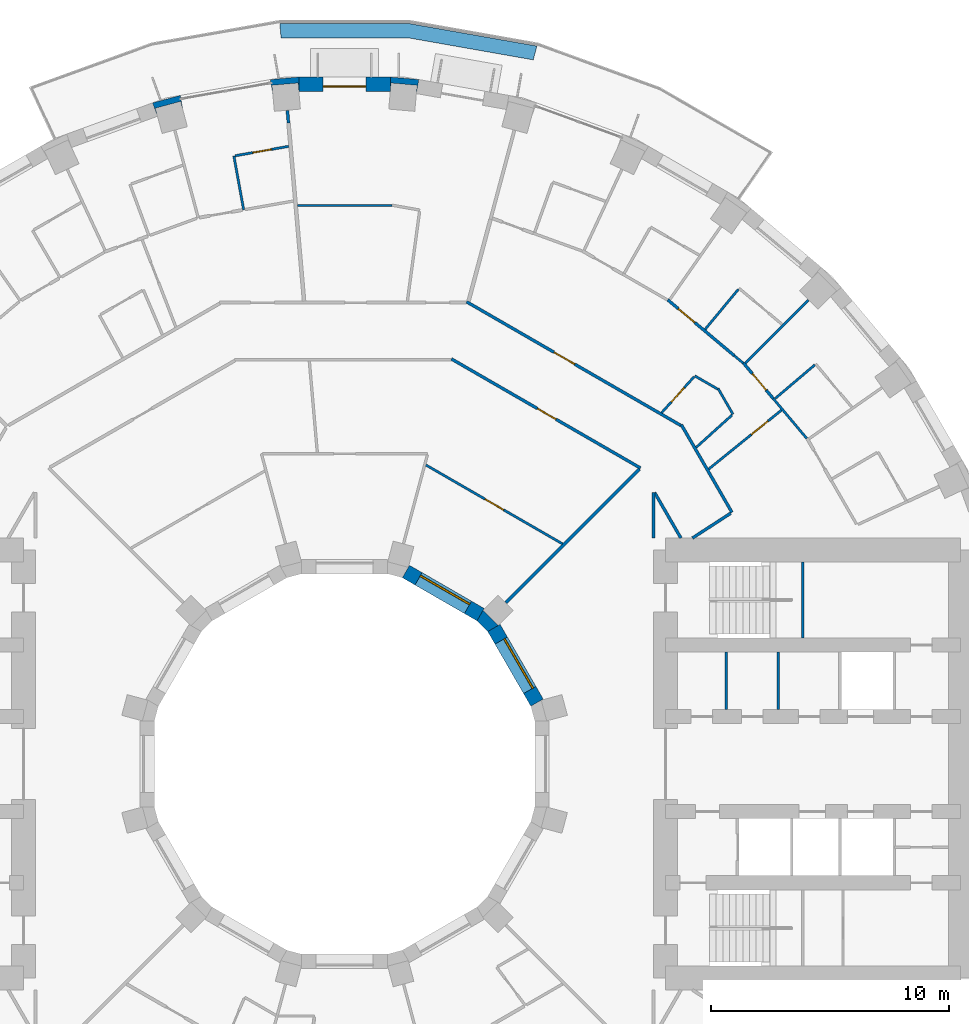
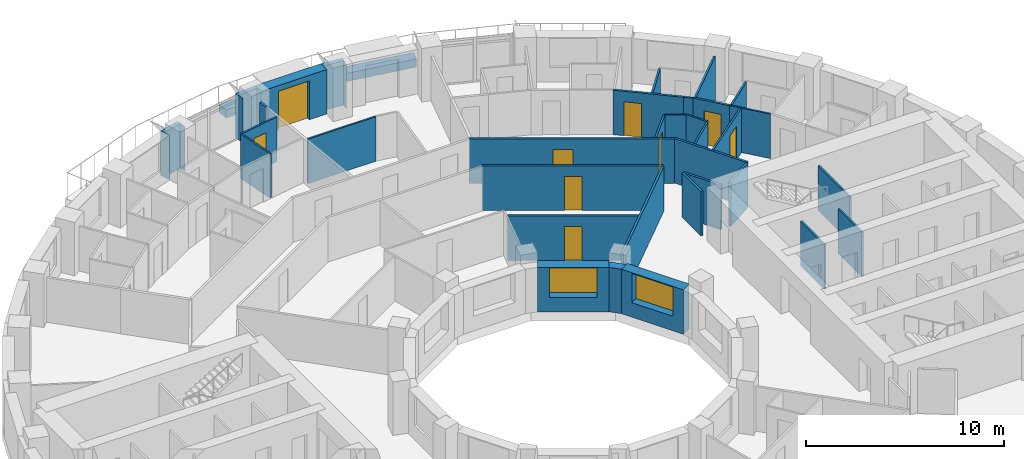
# One storey, part 12 of 15: 35 walls, 9 doors, 2 windows, 11 openings.
"""IFC4 building model written with IfcOpenShell, lengths in metres."""

import ifcopenshell
import ifcopenshell.guid

model = None  # the IFC model being written
_history = None  # IfcOwnerHistory: only IFC2X3 demands one
_inside = {}  # id of a spatial element -> (the spatial element, [elements in it])
_under = {}  # id of a project, library or spatial element -> (it, [spatial elements below it])
_declared = {}  # id of a project -> (the project, [libraries it declares])
_typed = {}  # id of a type object -> (the type object, [elements of that type])
_made_of = {}  # id of a material, layer set ... -> (it, [elements and type objects made of it])


def new_model(schema):
    """Start an empty IFC model of exactly this schema.

    Asked for "IFC4X3", IfcOpenShell would pick the latest addendum, in which some entities
    have other attributes; the version numbers below select the first issue.
    IFC2X3 requires an IfcOwnerHistory on every rooted entity: one is made here for all.
    """
    global model, _history
    if schema == "IFC4X3":
        model = ifcopenshell.file(schema_version=(4, 3, 0, 0))
    else:
        model = ifcopenshell.file(schema=schema)
    _inside.clear()
    _under.clear()
    _declared.clear()
    _typed.clear()
    _made_of.clear()
    _history = None
    if model.schema == "IFC2X3":
        org = make("IfcOrganization", Name="unknown")
        user = make(
            "IfcPersonAndOrganization",
            ThePerson=make("IfcPerson", FamilyName="unknown"),
            TheOrganization=org,
        )
        app = make(
            "IfcApplication",
            ApplicationDeveloper=org,
            Version="unknown",
            ApplicationFullName="unknown",
            ApplicationIdentifier="unknown",
        )
        _history = make(
            "IfcOwnerHistory",
            OwningUser=user,
            OwningApplication=app,
            ChangeAction="ADDED",
            CreationDate=0,
        )
    return model


def make(cls, **values):
    """One entity of the class cls with the attributes given. An attribute that is None is left unset."""
    return model.create_entity(
        cls, **{name: value for name, value in values.items() if value is not None}
    )


def rooted(cls, **values):
    """An entity with a GlobalId (a new one), such as an element, a storey or a relation."""
    return make(cls, GlobalId=ifcopenshell.guid.new(), OwnerHistory=_history, **values)


def si_unit(unit_type, name, prefix=None):
    """IfcSIUnit, for example si_unit("LENGTHUNIT", "METRE", prefix="MILLI")."""
    return make("IfcSIUnit", UnitType=unit_type, Prefix=prefix, Name=name)


def assignment(units):
    """IfcUnitAssignment: the units of a project."""
    return None if units is None else make("IfcUnitAssignment", Units=units)


def point(xyz):
    """IfcCartesianPoint."""
    return None if xyz is None else make("IfcCartesianPoint", Coordinates=xyz)


def direction(xyz):
    """IfcDirection."""
    return None if xyz is None else make("IfcDirection", DirectionRatios=xyz)


def frame(location, z_axis=None, x_axis=None):
    """IfcAxis2Placement3D, a coordinate frame: its origin and axes. An axis left out is left unset."""
    return make(
        "IfcAxis2Placement3D",
        Location=point(location),
        Axis=direction(z_axis),
        RefDirection=direction(x_axis),
    )


def frame_2d(location, x_axis=None):
    """IfcAxis2Placement2D, a coordinate frame in the plane: its origin and x axis."""
    return make(
        "IfcAxis2Placement2D", Location=point(location), RefDirection=direction(x_axis)
    )


def origin():
    """The frame at (0, 0, 0) with its axes left unset."""
    return frame((0.0, 0.0, 0.0))


def place(relative_to, where):
    """IfcLocalPlacement: puts the frame where relative to a parent placement (None: the world)."""
    return make(
        "IfcLocalPlacement", PlacementRelTo=relative_to, RelativePlacement=where
    )


def context(
    kind, dimensions, precision=None, world=None, true_north=None, identifier=None
):
    """IfcGeometricRepresentationContext, for example the 3D "Model" context."""
    return make(
        "IfcGeometricRepresentationContext",
        ContextIdentifier=identifier,
        ContextType=kind,
        CoordinateSpaceDimension=dimensions,
        Precision=precision,
        WorldCoordinateSystem=world,
        TrueNorth=true_north,
    )


def subcontext(parent, identifier, kind, view, scale=None):
    """IfcGeometricRepresentationSubContext, for example "Body" below "Model"."""
    return make(
        "IfcGeometricRepresentationSubContext",
        ContextIdentifier=identifier,
        ContextType=kind,
        ParentContext=parent,
        TargetScale=scale,
        TargetView=view,
    )


def project(units=None, contexts=None):
    """IfcProject with its units and contexts."""
    return rooted(
        "IfcProject",
        Name="project",
        RepresentationContexts=contexts,
        UnitsInContext=assignment(units),
    )


def spatial(cls, under=None, at=None, **own):
    """A site, building, storey or space (cls), placed at a placement, below another one or the project."""
    s = rooted(cls, ObjectPlacement=at, **own)
    if under is not None:
        _under.setdefault(under.id(), (under, []))[1].append(s)
    return s


def polyline(points):
    """IfcPolyline through the points."""
    return make("IfcPolyline", Points=[point(p) for p in points])


def profile(cls, at=None, kind="AREA", **sizes):
    """A parametric profile (cls). Its sizes go by their IFC names, for example OverallWidth=200.0."""
    return make(cls, ProfileType=kind, Position=at, **sizes)


def rectangle(**sizes):
    """IfcRectangleProfileDef."""
    return profile("IfcRectangleProfileDef", **sizes)


def outline(outer, holes=None, kind="AREA"):
    """IfcArbitraryClosedProfileDef: a profile drawn as a closed curve; with holes, ...WithVoids."""
    if holes is None:
        return make("IfcArbitraryClosedProfileDef", ProfileType=kind, OuterCurve=outer)
    return make(
        "IfcArbitraryProfileDefWithVoids",
        ProfileType=kind,
        OuterCurve=outer,
        InnerCurves=holes,
    )


def extrude(swept, where, along, depth):
    """IfcExtrudedAreaSolid: the profile swept, set in the frame where, extruded along a direction by depth."""
    return make(
        "IfcExtrudedAreaSolid",
        SweptArea=swept,
        Position=where,
        ExtrudedDirection=direction(along),
        Depth=depth,
    )


def shape(context_of_items, identifier, shape_type, items):
    """IfcShapeRepresentation: the items that make up one representation, for example the "Body"."""
    return make(
        "IfcShapeRepresentation",
        ContextOfItems=context_of_items,
        RepresentationIdentifier=identifier,
        RepresentationType=shape_type,
        Items=items,
    )


def material(Name=None, Category=None):
    """IfcMaterial."""
    return make("IfcMaterial", Name=Name, Category=Category)


def layer(
    of_material, thickness, ventilated=None, Name=None, Category=None, Priority=None
):
    """IfcMaterialLayer: one layer of a wall or slab, of a material (None: an air gap)."""
    return make(
        "IfcMaterialLayer",
        Material=of_material,
        LayerThickness=thickness,
        IsVentilated=ventilated,
        Name=Name,
        Category=Category,
        Priority=Priority,
    )


def layer_set(layers, Name=None):
    """IfcMaterialLayerSet."""
    return make("IfcMaterialLayerSet", MaterialLayers=layers, LayerSetName=Name)


def made_of(thing, what):
    """Note that an element or type object is made of a material, layer set ...; save() writes the relation."""
    if what is not None:
        _made_of.setdefault(what.id(), (what, []))[1].append(thing)
    return thing


def type_object(cls, material=None, **own):
    """A type object (cls), such as IfcWallType, which elements share."""
    return made_of(rooted(cls, **own), material)


def element(
    cls,
    number,
    at=None,
    inside=None,
    cuts=None,
    type_object=None,
    material=None,
    context=None,
    identifier="Body",
    shape_type=None,
    held_by="IfcProductDefinitionShape",
    body=None,
    shapes=None,
    **own,
):
    """One element of the class cls, such as IfcWall. Its Tag is "e" and its number.

    at: its placement. inside: the storey or other place that contains it. cuts: it is an
    opening in that element (IfcRelVoidsElement). A single representation is given by context,
    identifier, shape_type and body (its items); several are given by shapes. held_by: the class
    of the entity that holds the representations. save() writes the other relations.
    """
    e = rooted(cls, Tag="e%d" % number, ObjectPlacement=at, **own)
    if body is not None:
        shapes = [shape(context, identifier, shape_type, body)]
    if shapes is not None:
        e.Representation = make(held_by, Representations=shapes)
    if inside is not None:
        _inside.setdefault(inside.id(), (inside, []))[1].append(e)
    if cuts is not None:
        rooted(
            "IfcRelVoidsElement", RelatingBuildingElement=cuts, RelatedOpeningElement=e
        )
    if type_object is not None:
        _typed.setdefault(type_object.id(), (type_object, []))[1].append(e)
    return made_of(e, material)


def fill(opening, filler):
    """IfcRelFillsElement: the door or window that sits in an opening."""
    return rooted(
        "IfcRelFillsElement",
        RelatingOpeningElement=opening,
        RelatedBuildingElement=filler,
    )


def aggregate(whole, parts):
    """IfcRelAggregates: a whole, such as a stair, and the parts it consists of."""
    return rooted("IfcRelAggregates", RelatingObject=whole, RelatedObjects=parts)


def save(model, path):
    """Write the relations noted so far, then the file.

    IfcRelAggregates (storeys below a building ...), IfcRelContainedInSpatialStructure (elements
    in a storey), IfcRelDefinesByType, IfcRelAssociatesMaterial and IfcRelDeclares: one each for
    every whole, place, type object, material and project.
    """
    for whole, parts in _under.values():
        aggregate(whole, parts)
    for where, things in _inside.values():
        rooted(
            "IfcRelContainedInSpatialStructure",
            RelatedElements=things,
            RelatingStructure=where,
        )
    for kind, things in _typed.values():
        rooted("IfcRelDefinesByType", RelatedObjects=things, RelatingType=kind)
    for what, things in _made_of.values():
        rooted("IfcRelAssociatesMaterial", RelatedObjects=things, RelatingMaterial=what)
    for by, libraries in _declared.values():
        rooted("IfcRelDeclares", RelatingContext=by, RelatedDefinitions=libraries)
    model.write(path)


model = new_model("IFC4")

# Units and contexts
model_context = context("Model", 3, precision=1e-05, world=origin(), true_north=direction((0.0, 1.0)))
body_context = subcontext(model_context, "Body", "Model", "MODEL_VIEW")
ifc_project = project(units=[si_unit("LENGTHUNIT", "METRE"), si_unit("AREAUNIT", "SQUARE_METRE"), si_unit("VOLUMEUNIT", "CUBIC_METRE"), si_unit("PLANEANGLEUNIT", "RADIAN"), si_unit("MASSUNIT", "GRAM", prefix="KILO")], contexts=[model_context])

# Site, building, storey
site_placement = place(None, origin())
site = spatial("IfcSite", under=ifc_project, at=site_placement, CompositionType="ELEMENT")
building_placement = place(site_placement, origin())
building = spatial("IfcBuilding", under=site, at=building_placement, Name="Saqina Gate Tower", CompositionType="ELEMENT")
storey_placement = place(building_placement, frame((0.0, 0.0, 75.800048828125)))
storey = spatial("IfcBuildingStorey", under=building, at=storey_placement, Name="L21", CompositionType="ELEMENT", Elevation=75.800048828125)

# Walls
ifc_material_1 = material(Name="Brick masonry (red)", Category="masonry")
wall_type_1 = type_object("IfcWallType", Name="BRICK PIER COPING RED", PredefinedType="SOLIDWALL", material=ifc_material_1)
wall_1_placement = place(storey_placement, origin())
element("IfcWall", 1, at=wall_1_placement, inside=storey, type_object=wall_type_1, Name="Pier cap L21 column 9", PredefinedType="SOLIDWALL", context=body_context, shape_type="SweptSolid", body=[
    extrude(outline(polyline([(3.122802734375, 28.78466796875), (1.9228515625, 28.8896484375), (1.9228515625, 28.28955078125), (1.95361328125, 28.638671875), (3.04931640625, 28.54296875), (3.018798828125, 28.19384765625), (3.122802734375, 28.78466796875)])), origin(), (0.0, 0.0, 1.0), 2.75),
])
wall_2_placement = place(storey_placement, origin())
element("IfcWall", 2, at=wall_2_placement, inside=storey, type_object=wall_type_1, Name="Pier cap L21 column 10", PredefinedType="SOLIDWALL", context=body_context, shape_type="SweptSolid", body=[
    extrude(outline(polyline([(-1.9228515625, 28.8896484375), (-3.122802734375, 28.78466796875), (-3.018798828125, 28.19384765625), (-3.04931640625, 28.54296875), (-1.95361328125, 28.638671875), (-1.9228515625, 28.28955078125), (-1.9228515625, 28.8896484375)])), origin(), (0.0, 0.0, 1.0), 2.75),
])
wall_3_placement = place(storey_placement, origin())
element("IfcWall", 3, at=wall_3_placement, inside=storey, type_object=wall_type_1, Name="Pier cap L21 column 11", PredefinedType="SOLIDWALL", context=body_context, shape_type="SweptSolid", body=[
    extrude(outline(polyline([(-6.910400390625, 28.11669921875), (-8.073974609375, 27.80517578125), (-7.86865234375, 27.2412109375), (-7.95947265625, 27.57958984375), (-6.896728515625, 27.864501953125), (-6.80615234375, 27.52587890625), (-6.910400390625, 28.11669921875)])), origin(), (0.0, 0.0, 1.0), 2.75),
])
ifc_material_2 = material(Name="Gypsum board on steel studs", Category="steel")
ifc_layer_1 = layer(ifc_material_2, 0.10009765625)
ifc_layer_set_1 = layer_set([ifc_layer_1], Name="CORE PARTITION")
wall_type_2 = type_object("IfcWallType", Name="CORE PARTITION", PredefinedType="PARTITIONING", material=ifc_layer_set_1)
for number, where, z_axis, x_axis, name in (
    (4, (16.052001953125, 2.300048828125, 0.0), (0.0, 0.0, 1.0), (0.0, 1.0, 0.0), "L21-CP-E01"),
    (5, (18.24072265625, 2.300048828125, 0.0), (0.0, 0.0, 1.0), (0.0, 1.0, 0.0), "L21-CP-E02"),
):
    element("IfcWall", number, at=place(storey_placement, frame(where, z_axis=z_axis, x_axis=x_axis)), inside=storey, type_object=wall_type_2, Name=name, PredefinedType="PARTITIONING", context=body_context, shape_type="SweptSolid", body=[
        extrude(rectangle(XDim=2.39990234375, YDim=0.10009765625, at=frame_2d((1.199951171875, 0.0))), origin(), (0.0, 0.0, 1.0), 2.75),
    ])

# Wall, opening, door
ifc_material_3 = material(Name="Brick masonry (red)", Category="masonry")
ifc_layer_2 = layer(ifc_material_3, 0.60009765625)
ifc_layer_set_2 = layer_set([ifc_layer_2], Name="FW-BRICK-RED")
wall_type_3 = type_object("IfcWallType", Name="FW-BRICK-RED", PredefinedType="SOLIDWALL", material=ifc_layer_set_2)
wall_4_placement = place(storey_placement, frame((1.9228515625, 28.589599609375, 0.0), z_axis=(0.0, 0.0, 1.0), x_axis=(-1.0, 0.0, 0.0)))
wall_4 = element("IfcWall", 6, at=wall_4_placement, inside=storey, type_object=wall_type_3, Name="Facade wall L21 facet 9", PredefinedType="SOLIDWALL", context=body_context, shape_type="SweptSolid", body=[
    extrude(rectangle(XDim=3.845703125, YDim=0.60009765625, at=frame_2d((1.9228515625, 0.0))), origin(), (0.0, 0.0, 1.0), 2.75),
])
opening_1_placement = place(wall_4_placement, frame((1.02294921875, 0.0, 0.0)))
opening_1 = element("IfcOpeningElement", 7, at=opening_1_placement, cuts=wall_4, Name="Opening G06-D81", PredefinedType="OPENING", context=body_context, shape_type="SweptSolid", body=[
    extrude(rectangle(XDim=1.800048828125, YDim=2.39990234375, at=frame_2d((0.89990234375, 1.199951171875))), frame((0.0, 0.31201171875, 0.0), z_axis=(0.0, -1.0, 0.0), x_axis=(1.0, 0.0, 0.0)), (0.0, 0.0, 1.0), 0.6240234375),
])
ifc_material_4 = material(Name="Aluminium glazing", Category="aluminium")
door_type_1 = type_object("IfcDoorType", Name="GD-A", OperationType="DOUBLE_DOOR_SINGLE_SWING", PredefinedType="DOOR", material=ifc_material_4)
door_1_placement = place(opening_1_placement, frame((1.800048828125, 0.0, 0.0), z_axis=(0.0, 0.0, 1.0), x_axis=(-1.0, 0.0, 0.0)))
door_1 = element("IfcDoor", 8, at=door_1_placement, inside=storey, type_object=door_type_1, Name="Terrace door L21 facet 9", OperationType="DOUBLE_DOOR_SINGLE_SWING", OverallHeight=2.39990234375, OverallWidth=1.800048828125, PredefinedType="DOOR", context=body_context, shape_type="SweptSolid", body=[
    extrude(rectangle(XDim=1.800048828125, YDim=2.39990234375, at=frame_2d((0.89990234375, 1.199951171875))), frame((0.0, -0.0751953125, 0.0), z_axis=(0.0, -1.0, 0.0), x_axis=(1.0, 0.0, 0.0)), (0.0, 0.0, 1.0), 0.050048828125),
])
fill(opening_1, door_1)

# Wall, opening, window
ifc_material_5 = material(Name="Glazed ceramic tile", Category="ceramic")
ifc_layer_3 = layer(ifc_material_5, 0.60009765625)
ifc_layer_set_3 = layer_set([ifc_layer_3], Name="IW-TILE")
wall_type_4 = type_object("IfcWallType", Name="IW-TILE", PredefinedType="SOLIDWALL", material=ifc_layer_set_3)
wall_5_placement = place(storey_placement, frame((8.09423828125, 2.580322265625, 0.0), z_axis=(0.0, 0.0, 1.0), x_axis=(-0.499992569217, 0.866029693906, 0.0)))
wall_5 = element("IfcWall", 9, at=wall_5_placement, inside=storey, type_object=wall_type_4, Name="Well wall L21 facet 1", PredefinedType="SOLIDWALL", context=body_context, shape_type="SweptSolid", body=[
    extrude(rectangle(XDim=3.625, YDim=0.60009765625, at=frame_2d((1.8125, 0.0))), origin(), (0.0, 0.0, 1.0), 2.75),
])
opening_2_placement = place(wall_5_placement, frame((0.612548828125, 0.0, 0.89990234375)))
opening_2 = element("IfcOpeningElement", 10, at=opening_2_placement, cuts=wall_5, Name="Opening G06-W23", PredefinedType="OPENING", context=body_context, shape_type="SweptSolid", body=[
    extrude(rectangle(XDim=2.39990234375, YDim=1.800048828125, at=frame_2d((1.199951171875, 0.89990234375))), frame((0.0, 0.31201171875, 0.0), z_axis=(0.0, -1.0, 0.0), x_axis=(1.0, 0.0, 0.0)), (0.0, 0.0, 1.0), 0.6240234375),
])
ifc_material_6 = material(Name="Aluminium glazing", Category="aluminium")
window_type = type_object("IfcWindowType", Name="WN-W", PartitioningType="SINGLE_PANEL", PredefinedType="WINDOW", material=ifc_material_6)
window_1_placement = place(opening_2_placement, origin())
window_1 = element("IfcWindow", 11, at=window_1_placement, inside=storey, type_object=window_type, Name="Well window L21 facet 1", OverallHeight=1.800048828125, OverallWidth=2.39990234375, PartitioningType="SINGLE_PANEL", PredefinedType="WINDOW", context=body_context, shape_type="SweptSolid", body=[
    extrude(rectangle(XDim=2.39990234375, YDim=1.800048828125, at=frame_2d((1.199951171875, 0.89990234375))), frame((0.0, -0.119873046875, 0.0), z_axis=(0.0, -1.0, 0.0), x_axis=(1.0, 0.0, 0.0)), (0.0, 0.0, 1.0), 0.06005859375),
])
fill(opening_2, window_1)

wall_6_placement = place(storey_placement, frame((5.7197265625, 6.28173828125, 0.0), z_axis=(0.0, 0.0, 1.0), x_axis=(-0.866029693906, 0.499992569217, 0.0)))
wall_6 = element("IfcWall", 12, at=wall_6_placement, inside=storey, type_object=wall_type_4, Name="Well wall L21 facet 2", PredefinedType="SOLIDWALL", context=body_context, shape_type="SweptSolid", body=[
    extrude(rectangle(XDim=3.625, YDim=0.60009765625, at=frame_2d((1.8125, 0.0))), origin(), (0.0, 0.0, 1.0), 2.75),
])
opening_3_placement = place(wall_6_placement, frame((0.612548828125, 0.0, 0.89990234375)))
opening_3 = element("IfcOpeningElement", 13, at=opening_3_placement, cuts=wall_6, Name="Opening G06-W24", PredefinedType="OPENING", context=body_context, shape_type="SweptSolid", body=[
    extrude(rectangle(XDim=2.39990234375, YDim=1.800048828125, at=frame_2d((1.199951171875, 0.89990234375))), frame((0.0, 0.31201171875, 0.0), z_axis=(0.0, -1.0, 0.0), x_axis=(1.0, 0.0, 0.0)), (0.0, 0.0, 1.0), 0.6240234375),
])
window_2_placement = place(opening_3_placement, origin())
window_2 = element("IfcWindow", 14, at=window_2_placement, inside=storey, type_object=window_type, Name="Well window L21 facet 2", OverallHeight=1.800048828125, OverallWidth=2.39990234375, PartitioningType="SINGLE_PANEL", PredefinedType="WINDOW", context=body_context, shape_type="SweptSolid", body=[
    extrude(rectangle(XDim=2.39990234375, YDim=1.800048828125, at=frame_2d((1.199951171875, 0.89990234375))), frame((0.0, -0.119873046875, 0.0), z_axis=(0.0, -1.0, 0.0), x_axis=(1.0, 0.0, 0.0)), (0.0, 0.0, 1.0), 0.06005859375),
])
fill(opening_3, window_2)

# Walls
ifc_material_7 = material(Name="Gypsum board on steel studs, 100 mm", Category="steel")
ifc_layer_4 = layer(ifc_material_7, 0.10009765625)
ifc_layer_set_4 = layer_set([ifc_layer_4], Name="PARTITION 100")
wall_type_5 = type_object("IfcWallType", Name="PARTITION 100", PredefinedType="PARTITIONING", material=ifc_layer_set_4)
wall_7_placement = place(storey_placement, frame((-4.656005859375, 25.570068359375, 0.0), z_axis=(0.0, 0.0, 1.0), x_axis=(0.179146935465, -0.983822329241, 0.0)))
element("IfcWall", 15, at=wall_7_placement, inside=storey, type_object=wall_type_5, Name="PARTITION PW3-05", PredefinedType="PARTITIONING", context=body_context, shape_type="SweptSolid", body=[
    extrude(rectangle(XDim=2.30029296875, YDim=0.10009765625, at=frame_2d((1.150146484375, 0.0))), origin(), (0.0, 0.0, 1.0), 2.75),
])
wall_8_placement = place(storey_placement, frame((15.710205078125, 15.7890625, 0.0), z_axis=(0.0, 0.0, 1.0), x_axis=(0.49977889874, -0.86615301903, 0.0)))
element("IfcWall", 16, at=wall_8_placement, inside=storey, type_object=wall_type_5, Name="PARTITION PW3-22", PredefinedType="PARTITIONING", context=body_context, shape_type="SweptSolid", body=[
    extrude(rectangle(XDim=1.248046875, YDim=0.10009765625, at=frame_2d((0.6240234375, 0.0))), origin(), (0.0, 0.0, 1.0), 2.75),
])
wall_9_placement = place(storey_placement, frame((18.02978515625, 15.3671875, 0.0), z_axis=(0.0, 0.0, 1.0), x_axis=(0.643027558302, -0.765843038268, 0.0)))
element("IfcWall", 17, at=wall_9_placement, inside=storey, type_object=wall_type_5, Name="PARTITION PW3-31", PredefinedType="PARTITIONING", context=body_context, shape_type="SweptSolid", body=[
    extrude(rectangle(XDim=2.192626953125, YDim=0.10009765625, at=frame_2d((1.09619140625, 0.0))), origin(), (0.0, 0.0, 1.0), 2.75),
])
wall_10_placement = place(storey_placement, frame((16.384765625, 17.17626953125, 0.0), z_axis=(0.0, 0.0, 1.0), x_axis=(0.765810824784, -0.643065922472, 0.0)))
element("IfcWall", 18, at=wall_10_placement, inside=storey, type_object=wall_type_5, Name="PARTITION PW3-36", PredefinedType="PARTITIONING", context=body_context, shape_type="SweptSolid", body=[
    extrude(rectangle(XDim=0.499267578125, YDim=0.10009765625, at=frame_2d((0.24951171875, 0.0))), origin(), (0.0, 0.0, 1.0), 2.75),
])

# Wall, opening, door
wall_11_placement = place(storey_placement, frame((3.419189453125, 12.574951171875, 0.0), z_axis=(0.0, 0.0, 1.0), x_axis=(0.866049054344, -0.499959033792, 0.0)))
wall_11 = element("IfcWall", 19, at=wall_11_placement, inside=storey, type_object=wall_type_5, Name="PARTITION PW3-43", PredefinedType="PARTITIONING", context=body_context, shape_type="SweptSolid", body=[
    extrude(rectangle(XDim=6.64013671875, YDim=0.10009765625, at=frame_2d((3.320068359375, 0.0))), origin(), (0.0, 0.0, 1.0), 2.75),
])
opening_4_placement = place(wall_11_placement, frame((2.876220703125, 0.0, 0.0)))
opening_4 = element("IfcOpeningElement", 20, at=opening_4_placement, cuts=wall_11, Name="Opening G06-D10", PredefinedType="OPENING", context=body_context, shape_type="SweptSolid", body=[
    extrude(rectangle(XDim=0.89990234375, YDim=2.10009765625, at=frame_2d((0.449951171875, 1.050048828125))), frame((0.0, 0.06201171875, 0.0), z_axis=(0.0, -1.0, 0.0), x_axis=(1.0, 0.0, 0.0)), (0.0, 0.0, 1.0), 0.1240234375),
])
ifc_material_8 = material(Name="Timber door leaf, 900 mm", Category="wood")
door_type_2 = type_object("IfcDoorType", Name="DOOR 900 TIMBER", OperationType="SINGLE_SWING_LEFT", PredefinedType="DOOR", material=ifc_material_8)
door_2_placement = place(opening_4_placement, origin())
door_2 = element("IfcDoor", 21, at=door_2_placement, inside=storey, type_object=door_type_2, Name="DOOR G06-D10", OperationType="SINGLE_SWING_RIGHT", OverallHeight=2.10009765625, OverallWidth=0.89990234375, PredefinedType="DOOR", context=body_context, shape_type="SweptSolid", body=[
    extrude(rectangle(XDim=0.89990234375, YDim=2.10009765625, at=frame_2d((0.449951171875, 1.050048828125))), frame((0.0, 0.02490234375, 0.0), z_axis=(0.0, -1.0, 0.0), x_axis=(1.0, 0.0, 0.0)), (0.0, 0.0, 1.0), 0.050048828125),
])
fill(opening_4, door_2)

# Walls
wall_12_placement = place(storey_placement, frame((14.73193359375, 16.320068359375, 0.0), z_axis=(0.0, 0.0, 1.0), x_axis=(0.866156364877, -0.499773100099, 0.0)))
element("IfcWall", 22, at=wall_12_placement, inside=storey, type_object=wall_type_5, Name="PARTITION PW3-44", PredefinedType="PARTITIONING", context=body_context, shape_type="SweptSolid", body=[
    extrude(rectangle(XDim=1.11279296875, YDim=0.10009765625, at=frame_2d((0.556396484375, 0.0))), origin(), (0.0, 0.0, 1.0), 2.75),
])
wall_13_placement = place(storey_placement, frame((-1.97998046875, 23.489990234375, 0.0), z_axis=(0.0, 0.0, 1.0), x_axis=(1.0, 0.0, 0.0)))
element("IfcWall", 23, at=wall_13_placement, inside=storey, type_object=wall_type_5, Name="PARTITION PW3-62", PredefinedType="PARTITIONING", context=body_context, shape_type="SweptSolid", body=[
    extrude(rectangle(XDim=3.98486328125, YDim=0.10009765625, at=frame_2d((1.992431640625, 0.0))), origin(), (0.0, 0.0, 1.0), 2.75),
])

# Wall, opening, door
wall_14_placement = place(storey_placement, frame((-4.606689453125, 25.57861328125, 0.0), z_axis=(0.0, 0.0, 1.0), x_axis=(0.984796414822, 0.173712467465, 0.0)))
wall_14 = element("IfcWall", 24, at=wall_14_placement, inside=storey, type_object=wall_type_5, Name="PARTITION PW3-66", PredefinedType="PARTITIONING", context=body_context, shape_type="SweptSolid", body=[
    extrude(rectangle(XDim=2.293701171875, YDim=0.10009765625, at=frame_2d((1.14697265625, 0.0))), origin(), (0.0, 0.0, 1.0), 2.75),
])
opening_5_placement = place(wall_14_placement, frame((0.759521484375, 0.0, 0.0)))
opening_5 = element("IfcOpeningElement", 25, at=opening_5_placement, cuts=wall_14, Name="Opening G06-D19", PredefinedType="OPENING", context=body_context, shape_type="SweptSolid", body=[
    extrude(rectangle(XDim=0.800048828125, YDim=2.10009765625, at=frame_2d((0.39990234375, 1.050048828125))), frame((0.0, 0.06201171875, 0.0), z_axis=(0.0, -1.0, 0.0), x_axis=(1.0, 0.0, 0.0)), (0.0, 0.0, 1.0), 0.1240234375),
])
ifc_material_9 = material(Name="Timber door leaf, 800 mm", Category="wood")
door_type_3 = type_object("IfcDoorType", Name="DOOR 800 TIMBER", OperationType="SINGLE_SWING_LEFT", PredefinedType="DOOR", material=ifc_material_9)
door_3_placement = place(opening_5_placement, origin())
door_3 = element("IfcDoor", 26, at=door_3_placement, inside=storey, type_object=door_type_3, Name="DOOR G06-D19", OperationType="SINGLE_SWING_RIGHT", OverallHeight=2.10009765625, OverallWidth=0.800048828125, PredefinedType="DOOR", context=body_context, shape_type="SweptSolid", body=[
    extrude(rectangle(XDim=0.800048828125, YDim=2.10009765625, at=frame_2d((0.39990234375, 1.050048828125))), frame((0.0, 0.02490234375, 0.0), z_axis=(0.0, -1.0, 0.0), x_axis=(1.0, 0.0, 0.0)), (0.0, 0.0, 1.0), 0.050048828125),
])
fill(opening_5, door_3)

wall_15_placement = place(storey_placement, frame((15.3134765625, 12.400390625, 0.0), z_axis=(0.0, 0.0, 1.0), x_axis=(0.777068729319, 0.629415752833, 0.0)))
wall_15 = element("IfcWall", 27, at=wall_15_placement, inside=storey, type_object=wall_type_5, Name="PARTITION PW3-86", PredefinedType="PARTITIONING", context=body_context, shape_type="SweptSolid", body=[
    extrude(rectangle(XDim=3.9384765625, YDim=0.10009765625, at=frame_2d((1.96923828125, 0.0))), origin(), (0.0, 0.0, 1.0), 2.75),
])
opening_6_placement = place(wall_15_placement, frame((2.31298828125, 0.0, 0.0)))
opening_6 = element("IfcOpeningElement", 28, at=opening_6_placement, cuts=wall_15, Name="Opening G06-D04", PredefinedType="OPENING", context=body_context, shape_type="SweptSolid", body=[
    extrude(rectangle(XDim=0.89990234375, YDim=2.10009765625, at=frame_2d((0.449951171875, 1.050048828125))), frame((0.0, 0.06201171875, 0.0), z_axis=(0.0, -1.0, 0.0), x_axis=(1.0, 0.0, 0.0)), (0.0, 0.0, 1.0), 0.1240234375),
])
door_4_placement = place(opening_6_placement, origin())
door_4 = element("IfcDoor", 29, at=door_4_placement, inside=storey, type_object=door_type_2, Name="DOOR G06-D04", OperationType="SINGLE_SWING_RIGHT", OverallHeight=2.10009765625, OverallWidth=0.89990234375, PredefinedType="DOOR", context=body_context, shape_type="SweptSolid", body=[
    extrude(rectangle(XDim=0.89990234375, YDim=2.10009765625, at=frame_2d((0.449951171875, 1.050048828125))), frame((0.0, 0.02490234375, 0.0), z_axis=(0.0, -1.0, 0.0), x_axis=(1.0, 0.0, 0.0)), (0.0, 0.0, 1.0), 0.050048828125),
])
fill(opening_6, door_4)

# Walls
wall_16_placement = place(storey_placement, frame((18.109619140625, 15.369384765625, 0.0), z_axis=(0.0, 0.0, 1.0), x_axis=(0.762547505072, 0.646932224045, 0.0)))
element("IfcWall", 30, at=wall_16_placement, inside=storey, type_object=wall_type_5, Name="PARTITION PW3-92", PredefinedType="PARTITIONING", context=body_context, shape_type="SweptSolid", body=[
    extrude(rectangle(XDim=2.187744140625, YDim=0.10009765625, at=frame_2d((1.09375, 0.0))), origin(), (0.0, 0.0, 1.0), 2.75),
])
wall_17_placement = place(storey_placement, frame((14.78564453125, 13.313232421875, 0.0), z_axis=(0.0, 0.0, 1.0), x_axis=(0.742995651166, 0.669296244087, 0.0)))
element("IfcWall", 31, at=wall_17_placement, inside=storey, type_object=wall_type_5, Name="PARTITION PW3-93", PredefinedType="PARTITIONING", context=body_context, shape_type="SweptSolid", body=[
    extrude(rectangle(XDim=2.033935546875, YDim=0.10009765625, at=frame_2d((1.01708984375, 0.0))), origin(), (0.0, 0.0, 1.0), 2.75),
])
wall_18_placement = place(storey_placement, frame((16.859130859375, 16.859130859375, 0.0), z_axis=(0.0, 0.0, 1.0), x_axis=(0.707106781187, 0.707106781187, 0.0)))
element("IfcWall", 32, at=wall_18_placement, inside=storey, type_object=wall_type_5, Name="PARTITION PW3-95", PredefinedType="PARTITIONING", context=body_context, shape_type="SweptSolid", body=[
    extrude(rectangle(XDim=3.74755859375, YDim=0.10009765625, at=frame_2d((1.873779296875, 0.0))), origin(), (0.0, 0.0, 1.0), 2.75),
])

# Wall, opening, door
wall_19_placement = place(storey_placement, frame((13.3359375, 14.7724609375, 0.0), z_axis=(0.0, 0.0, 1.0), x_axis=(0.669806399881, 0.742535781413, 0.0)))
wall_19 = element("IfcWall", 33, at=wall_19_placement, inside=storey, type_object=wall_type_5, Name="PARTITION PW3-97", PredefinedType="PARTITIONING", context=body_context, shape_type="SweptSolid", body=[
    extrude(rectangle(XDim=2.0341796875, YDim=0.10009765625, at=frame_2d((1.01708984375, 0.0))), origin(), (0.0, 0.0, 1.0), 2.75),
])
opening_7_placement = place(wall_19_placement, frame((0.610595703125, 0.0, 0.0)))
opening_7 = element("IfcOpeningElement", 34, at=opening_7_placement, cuts=wall_19, Name="Opening G06-D07", PredefinedType="OPENING", context=body_context, shape_type="SweptSolid", body=[
    extrude(rectangle(XDim=0.800048828125, YDim=2.10009765625, at=frame_2d((0.39990234375, 1.050048828125))), frame((0.0, 0.06201171875, 0.0), z_axis=(0.0, -1.0, 0.0), x_axis=(1.0, 0.0, 0.0)), (0.0, 0.0, 1.0), 0.1240234375),
])
door_5_placement = place(opening_7_placement, origin())
door_5 = element("IfcDoor", 35, at=door_5_placement, inside=storey, type_object=door_type_3, Name="DOOR G06-D07", OperationType="SINGLE_SWING_LEFT", OverallHeight=2.10009765625, OverallWidth=0.800048828125, PredefinedType="DOOR", context=body_context, shape_type="SweptSolid", body=[
    extrude(rectangle(XDim=0.800048828125, YDim=2.10009765625, at=frame_2d((0.39990234375, 1.050048828125))), frame((0.0, 0.02490234375, 0.0), z_axis=(0.0, -1.0, 0.0), x_axis=(1.0, 0.0, 0.0)), (0.0, 0.0, 1.0), 0.050048828125),
])
fill(opening_7, door_5)

# Walls
wall_20_placement = place(storey_placement, frame((15.166015625, 18.281005859375, 0.0), z_axis=(0.0, 0.0, 1.0), x_axis=(0.638293924204, 0.769792742447, 0.0)))
element("IfcWall", 36, at=wall_20_placement, inside=storey, type_object=wall_type_5, Name="PARTITION PW3-100", PredefinedType="PARTITIONING", context=body_context, shape_type="SweptSolid", body=[
    extrude(rectangle(XDim=2.18701171875, YDim=0.10009765625, at=frame_2d((1.093505859375, 0.0))), origin(), (0.0, 0.0, 1.0), 2.75),
])
ifc_material_10 = material(Name="Gypsum board on steel studs, 125 mm, fire rated", Category="steel")
ifc_layer_5 = layer(ifc_material_10, 0.125)
ifc_layer_set_5 = layer_set([ifc_layer_5], Name="PARTITION EI 30 125")
wall_type_6 = type_object("IfcWallType", Name="PARTITION EI 30 125", PredefinedType="PARTITIONING", material=ifc_layer_set_5)
wall_21_placement = place(storey_placement, frame((-2.404541015625, 27.485107421875, 0.0), z_axis=(0.0, 0.0, 1.0), x_axis=(0.087200931266, -0.996190743576, 0.0)))
element("IfcWall", 37, at=wall_21_placement, inside=storey, type_object=wall_type_6, Name="PARTITION PW1-01", PredefinedType="PARTITIONING", context=body_context, shape_type="SweptSolid", body=[
    extrude(rectangle(XDim=0.53466796875, YDim=0.125, at=frame_2d((0.267333984375, 0.0))), origin(), (0.0, 0.0, 1.0), 2.75),
])
wall_22_placement = place(storey_placement, frame((13.0400390625, 11.413818359375, 0.0), z_axis=(0.0, 0.0, 1.0), x_axis=(0.500012531179, -0.866018168784, 0.0)))
element("IfcWall", 38, at=wall_22_placement, inside=storey, type_object=wall_type_6, Name="PARTITION PW1-07", PredefinedType="PARTITIONING", context=body_context, shape_type="SweptSolid", body=[
    extrude(rectangle(XDim=2.2099609375, YDim=0.125, at=frame_2d((1.10498046875, 0.0))), origin(), (0.0, 0.0, 1.0), 2.75),
])
wall_23_placement = place(storey_placement, frame((14.166015625, 14.264404296875, 0.0), z_axis=(0.0, 0.0, 1.0), x_axis=(0.499965871761, -0.866045106836, 0.0)))
element("IfcWall", 39, at=wall_23_placement, inside=storey, type_object=wall_type_6, Name="PARTITION PW1-08", PredefinedType="PARTITIONING", context=body_context, shape_type="SweptSolid", body=[
    extrude(rectangle(XDim=4.254150390625, YDim=0.125, at=frame_2d((2.126953125, 0.0))), origin(), (0.0, 0.0, 1.0), 2.75),
])

# Wall, opening, door
wall_24_placement = place(storey_placement, frame((16.774169921875, 16.863525390625, 0.0), z_axis=(0.0, 0.0, 1.0), x_axis=(0.642799224464, -0.766034697013, 0.0)))
wall_24 = element("IfcWall", 40, at=wall_24_placement, inside=storey, type_object=wall_type_6, Name="PARTITION PW1-11", PredefinedType="PARTITIONING", context=body_context, shape_type="SweptSolid", body=[
    extrude(rectangle(XDim=1.953369140625, YDim=0.125, at=frame_2d((0.9765625, 0.0))), origin(), (0.0, 0.0, 1.0), 2.75),
])
opening_8_placement = place(wall_24_placement, frame((0.58349609375, 0.0, 0.0)))
opening_8 = element("IfcOpeningElement", 41, at=opening_8_placement, cuts=wall_24, Name="Opening G06-D05", PredefinedType="OPENING", context=body_context, shape_type="SweptSolid", body=[
    extrude(rectangle(XDim=0.89990234375, YDim=2.10009765625, at=frame_2d((0.449951171875, 1.050048828125))), frame((0.0, 0.074462890625, 0.0), z_axis=(0.0, -1.0, 0.0), x_axis=(1.0, 0.0, 0.0)), (0.0, 0.0, 1.0), 0.14892578125),
])
ifc_material_11 = material(Name="Fire door leaf EI 30, 900 mm")
door_type_4 = type_object("IfcDoorType", Name="DOOR 900 EI 30", OperationType="SINGLE_SWING_LEFT", PredefinedType="DOOR", material=ifc_material_11)
door_6_placement = place(opening_8_placement, frame((0.89990234375, 0.0, 0.0), z_axis=(0.0, 0.0, 1.0), x_axis=(-1.0, 0.0, 0.0)))
door_6 = element("IfcDoor", 42, at=door_6_placement, inside=storey, type_object=door_type_4, Name="DOOR G06-D05", OperationType="SINGLE_SWING_RIGHT", OverallHeight=2.10009765625, OverallWidth=0.89990234375, PredefinedType="DOOR", context=body_context, shape_type="SweptSolid", body=[
    extrude(rectangle(XDim=0.89990234375, YDim=2.10009765625, at=frame_2d((0.449951171875, 1.050048828125))), frame((0.0, 0.02490234375, 0.0), z_axis=(0.0, -1.0, 0.0), x_axis=(1.0, 0.0, 0.0)), (0.0, 0.0, 1.0), 0.050048828125),
])
fill(opening_8, door_6)

wall_25_placement = place(storey_placement, frame((13.59130859375, 19.520751953125, 0.0), z_axis=(0.0, 0.0, 1.0), x_axis=(0.766038413404, -0.642794795552, 0.0)))
wall_25 = element("IfcWall", 43, at=wall_25_placement, inside=storey, type_object=wall_type_6, Name="PARTITION PW1-17", PredefinedType="PARTITIONING", context=body_context, shape_type="SweptSolid", body=[
    extrude(rectangle(XDim=3.64697265625, YDim=0.125, at=frame_2d((1.823486328125, 0.0))), origin(), (0.0, 0.0, 1.0), 2.75),
])
opening_9_placement = place(wall_25_placement, frame((0.58349609375, 0.0, 0.0)))
opening_9 = element("IfcOpeningElement", 44, at=opening_9_placement, cuts=wall_25, Name="Opening G06-D08", PredefinedType="OPENING", context=body_context, shape_type="SweptSolid", body=[
    extrude(rectangle(XDim=0.89990234375, YDim=2.10009765625, at=frame_2d((0.449951171875, 1.050048828125))), frame((0.0, 0.074462890625, 0.0), z_axis=(0.0, -1.0, 0.0), x_axis=(1.0, 0.0, 0.0)), (0.0, 0.0, 1.0), 0.14892578125),
])
door_7_placement = place(opening_9_placement, frame((0.89990234375, 0.0, 0.0), z_axis=(0.0, 0.0, 1.0), x_axis=(-1.0, 0.0, 0.0)))
door_7 = element("IfcDoor", 45, at=door_7_placement, inside=storey, type_object=door_type_4, Name="DOOR G06-D08", OperationType="SINGLE_SWING_RIGHT", OverallHeight=2.10009765625, OverallWidth=0.89990234375, PredefinedType="DOOR", context=body_context, shape_type="SweptSolid", body=[
    extrude(rectangle(XDim=0.89990234375, YDim=2.10009765625, at=frame_2d((0.449951171875, 1.050048828125))), frame((0.0, 0.02490234375, 0.0), z_axis=(0.0, -1.0, 0.0), x_axis=(1.0, 0.0, 0.0)), (0.0, 0.0, 1.0), 0.050048828125),
])
fill(opening_9, door_7)

wall_26_placement = place(storey_placement, frame((4.492431640625, 17.0361328125, 0.0), z_axis=(0.0, 0.0, 1.0), x_axis=(0.866043911468, -0.499967942382, 0.0)))
wall_26 = element("IfcWall", 46, at=wall_26_placement, inside=storey, type_object=wall_type_6, Name="PARTITION PW1-24", PredefinedType="PARTITIONING", context=body_context, shape_type="SweptSolid", body=[
    extrude(rectangle(XDim=9.1826171875, YDim=0.125, at=frame_2d((4.59130859375, 0.0))), origin(), (0.0, 0.0, 1.0), 2.75),
])
opening_10_placement = place(wall_26_placement, frame((4.177490234375, 0.0, 0.0)))
opening_10 = element("IfcOpeningElement", 47, at=opening_10_placement, cuts=wall_26, Name="Opening G06-D11", PredefinedType="OPENING", context=body_context, shape_type="SweptSolid", body=[
    extrude(rectangle(XDim=0.89990234375, YDim=2.10009765625, at=frame_2d((0.449951171875, 1.050048828125))), frame((0.0, 0.074462890625, 0.0), z_axis=(0.0, -1.0, 0.0), x_axis=(1.0, 0.0, 0.0)), (0.0, 0.0, 1.0), 0.14892578125),
])
door_8_placement = place(opening_10_placement, frame((0.89990234375, 0.0, 0.0), z_axis=(0.0, 0.0, 1.0), x_axis=(-1.0, 0.0, 0.0)))
door_8 = element("IfcDoor", 48, at=door_8_placement, inside=storey, type_object=door_type_4, Name="DOOR G06-D11", OperationType="SINGLE_SWING_LEFT", OverallHeight=2.10009765625, OverallWidth=0.89990234375, PredefinedType="DOOR", context=body_context, shape_type="SweptSolid", body=[
    extrude(rectangle(XDim=0.89990234375, YDim=2.10009765625, at=frame_2d((0.449951171875, 1.050048828125))), frame((0.0, 0.02490234375, 0.0), z_axis=(0.0, -1.0, 0.0), x_axis=(1.0, 0.0, 0.0)), (0.0, 0.0, 1.0), 0.050048828125),
])
fill(opening_10, door_8)

wall_27_placement = place(storey_placement, frame((5.135498046875, 19.43603515625, 0.0), z_axis=(0.0, 0.0, 1.0), x_axis=(0.866044554194, -0.499966829051, 0.0)))
wall_27 = element("IfcWall", 49, at=wall_27_placement, inside=storey, type_object=wall_type_6, Name="PARTITION PW1-25", PredefinedType="PARTITIONING", context=body_context, shape_type="SweptSolid", body=[
    extrude(rectangle(XDim=10.406494140625, YDim=0.125, at=frame_2d((5.203125, 0.0))), origin(), (0.0, 0.0, 1.0), 2.75),
])
opening_11_placement = place(wall_27_placement, frame((4.246337890625, 0.0, 0.0)))
opening_11 = element("IfcOpeningElement", 50, at=opening_11_placement, cuts=wall_27, Name="Opening G06-D12", PredefinedType="OPENING", context=body_context, shape_type="SweptSolid", body=[
    extrude(rectangle(XDim=1.0, YDim=2.10009765625, at=frame_2d((0.5, 1.050048828125))), frame((0.0, 0.074462890625, 0.0), z_axis=(0.0, -1.0, 0.0), x_axis=(1.0, 0.0, 0.0)), (0.0, 0.0, 1.0), 0.14892578125),
])
ifc_material_12 = material(Name="Fire door leaf EI 30, 1000 mm")
door_type_5 = type_object("IfcDoorType", Name="DOOR 1000 EI 30", OperationType="SINGLE_SWING_LEFT", PredefinedType="DOOR", material=ifc_material_12)
door_9_placement = place(opening_11_placement, origin())
door_9 = element("IfcDoor", 51, at=door_9_placement, inside=storey, type_object=door_type_5, Name="DOOR G06-D12", OperationType="SINGLE_SWING_LEFT", OverallHeight=2.10009765625, OverallWidth=1.0, PredefinedType="DOOR", context=body_context, shape_type="SweptSolid", body=[
    extrude(rectangle(XDim=1.0, YDim=2.10009765625, at=frame_2d((0.5, 1.050048828125))), frame((0.0, 0.02490234375, 0.0), z_axis=(0.0, -1.0, 0.0), x_axis=(1.0, 0.0, 0.0)), (0.0, 0.0, 1.0), 0.050048828125),
])
fill(opening_11, door_9)

# Walls
wall_28_placement = place(storey_placement, frame((14.62890625, 9.5, 0.0), z_axis=(0.0, 0.0, 1.0), x_axis=(0.838829547553, 0.544394149631, 0.0)))
element("IfcWall", 52, at=wall_28_placement, inside=storey, type_object=wall_type_6, Name="PARTITION PW1-50", PredefinedType="PARTITIONING", context=body_context, shape_type="SweptSolid", body=[
    extrude(rectangle(XDim=1.921142578125, YDim=0.125, at=frame_2d((0.96044921875, 0.0))), origin(), (0.0, 0.0, 1.0), 2.75),
])
wall_29_placement = place(storey_placement, frame((6.78271484375, 6.78271484375, 0.0), z_axis=(0.0, 0.0, 1.0), x_axis=(0.707106781187, 0.707106781187, 0.0)))
element("IfcWall", 53, at=wall_29_placement, inside=storey, type_object=wall_type_6, Name="PARTITION PW1-54", PredefinedType="PARTITIONING", context=body_context, shape_type="SweptSolid", body=[
    extrude(rectangle(XDim=7.9453125, YDim=0.125, at=frame_2d((3.97265625, 0.0))), origin(), (0.0, 0.0, 1.0), 2.75),
])
wall_30_placement = place(storey_placement, frame((13.0, 9.5, 0.0), z_axis=(0.0, 0.0, 1.0), x_axis=(0.0, 1.0, 0.0)))
element("IfcWall", 54, at=wall_30_placement, inside=storey, type_object=wall_type_6, Name="PARTITION PW1-61", PredefinedType="PARTITIONING", context=body_context, shape_type="SweptSolid", body=[
    extrude(rectangle(XDim=1.92041015625, YDim=0.125, at=frame_2d((0.960205078125, 0.0))), origin(), (0.0, 0.0, 1.0), 2.75),
])
ifc_material_13 = material(Name="Brick masonry (red)", Category="masonry")
ifc_layer_6 = layer(ifc_material_13, 0.60009765625)
ifc_layer_set_6 = layer_set([ifc_layer_6], Name="PL-PLANTER")
wall_type_7 = type_object("IfcWallType", Name="PL-PLANTER", PredefinedType="PARAPET", material=ifc_layer_set_6)
wall_31_placement = place(storey_placement, origin())
element("IfcWall", 55, at=wall_31_placement, inside=storey, type_object=wall_type_7, Name="Planter L21", PredefinedType="PARAPET", context=body_context, shape_type="SweptSolid", body=[
    extrude(outline(polyline([(8.09033203125, 30.193603515625), (2.724365234375, 31.1396484375), (-2.724365234375, 31.1396484375), (-2.671875, 30.53955078125), (2.671875, 30.53955078125), (7.934326171875, 29.61181640625), (8.09033203125, 30.193603515625)])), origin(), (0.0, 0.0, 1.0), 0.5),
])
ifc_material_14 = material(Name="Autoclaved aerated concrete block", Category="concrete")
ifc_layer_7 = layer(ifc_material_14, 0.10009765625)
ifc_layer_set_7 = layer_set([ifc_layer_7], Name="STAIR ENCLOSURE WALL")
wall_type_8 = type_object("IfcWallType", Name="STAIR ENCLOSURE WALL", PredefinedType="PARTITIONING", material=ifc_layer_set_7)
wall_32_placement = place(storey_placement, frame((19.27001953125, 5.300048828125, 0.0), z_axis=(0.0, 0.0, 1.0), x_axis=(0.0, 1.0, 0.0)))
element("IfcWall", 56, at=wall_32_placement, inside=storey, type_object=wall_type_8, Name="L21-CP-E10", PredefinedType="PARTITIONING", context=body_context, shape_type="SweptSolid", body=[
    extrude(rectangle(XDim=3.199951171875, YDim=0.10009765625, at=frame_2d((1.60009765625, 0.0))), origin(), (0.0, 0.0, 1.0), 2.75),
])
ifc_material_15 = material(Name="Glazed ceramic tile", Category="ceramic")
wall_type_9 = type_object("IfcWallType", Name="TILE PIER COPING", PredefinedType="SOLIDWALL", material=ifc_material_15)
wall_33_placement = place(storey_placement, origin())
element("IfcWall", 57, at=wall_33_placement, inside=storey, type_object=wall_type_9, Name="Well pier cap L21 column 2", PredefinedType="SOLIDWALL", context=body_context, shape_type="SweptSolid", body=[
    extrude(outline(polyline([(5.821044921875, 6.45751953125), (5.569580078125, 6.02197265625), (6.02197265625, 5.569580078125), (6.45751953125, 5.821044921875), (5.821044921875, 6.45751953125)])), origin(), (0.0, 0.0, 1.0), 2.75),
])

save(model, "model.ifc")
